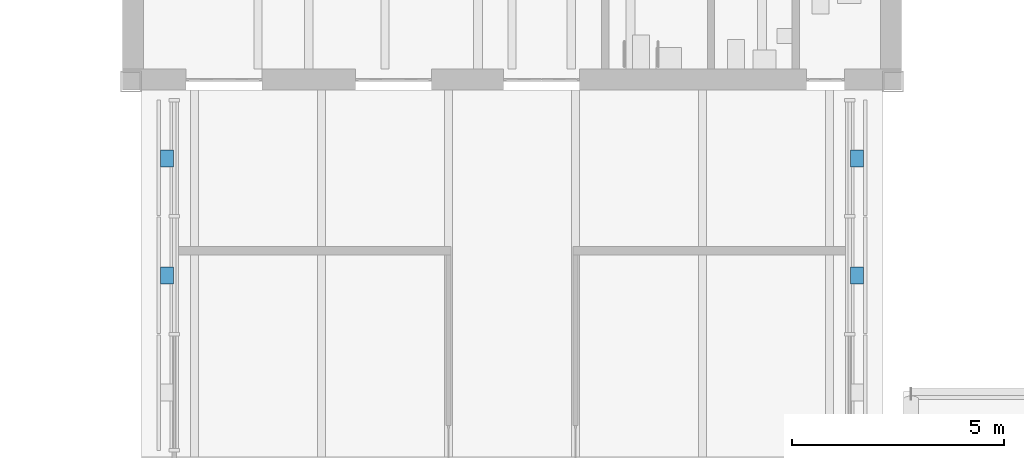
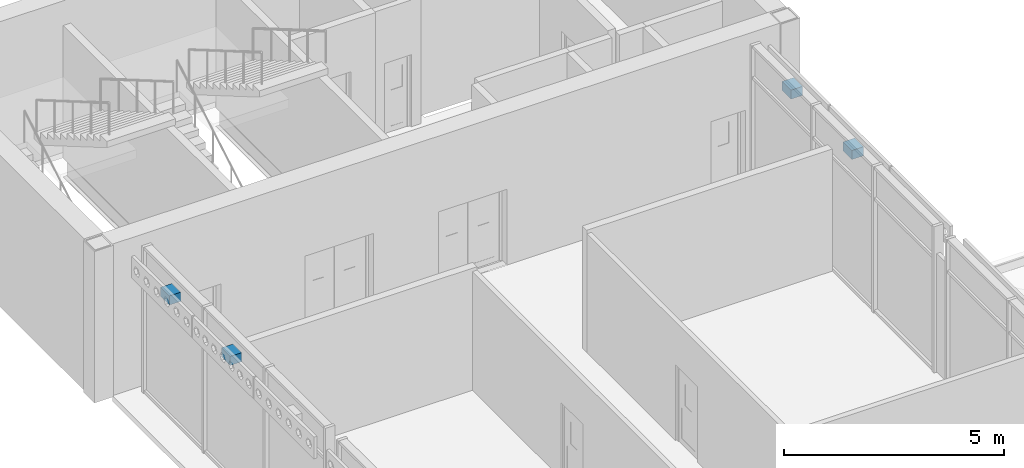
# One storey, part 32 of 54: 4 discrete accessories.
"""IFC4 building model written with IfcOpenShell, lengths in metres."""

from ifc_helpers import new_model, si_unit, direction, frame, origin, origin_2d, place, context, subcontext, project, spatial, rectangle, extrude, material, type_object, element, save


model = new_model("IFC4")

# Units and contexts
model_context = context("Model", 3, precision=1e-05, world=origin(), true_north=direction((0.0, 1.0)))
body_context = subcontext(model_context, "Body", "Model", "MODEL_VIEW")
ifc_project = project(units=[si_unit("LENGTHUNIT", "METRE"), si_unit("AREAUNIT", "SQUARE_METRE"), si_unit("VOLUMEUNIT", "CUBIC_METRE"), si_unit("PLANEANGLEUNIT", "RADIAN"), si_unit("MASSUNIT", "GRAM", prefix="KILO")], contexts=[model_context])

# Site, building, storey
site_placement = place(None, origin())
site = spatial("IfcSite", under=ifc_project, at=site_placement, CompositionType="ELEMENT")
building_placement = place(site_placement, origin())
building = spatial("IfcBuilding", under=site, at=building_placement, Name="Baradari Gate Terminus", CompositionType="ELEMENT")
storey_placement = place(building_placement, frame((0.0, 0.0, 15.89990234375)))
storey = spatial("IfcBuildingStorey", under=building, at=storey_placement, Name="L03", CompositionType="ELEMENT", Elevation=15.89990234375)

# Discrete accessories
ifc_material = material(Name="Stainless steel 316", Category="steel")
discrete_accessory_type = type_object("IfcDiscreteAccessoryType", Name="Jali screen bracket BK-2 stainless steel", PredefinedType="BRACKET", material=ifc_material)
for number, where, z_axis, x_axis, name in (
    (1, (72.8525390625, 76.425048828125, 3.455078125), (0.0, 0.0, 1.0), (-1.0, 0.0, 0.0), "Jali screen bracket BK-2 L03/GW5 bay 2"),
    (2, (72.8525390625, 79.188232421875, 3.455078125), (0.0, 0.0, 1.0), (-1.0, 0.0, 0.0), "Jali screen bracket BK-2 L03/GW5 bay 3"),
    (3, (89.1474609375, 76.425048828125, 3.455078125), (0.0, 0.0, 1.0), (1.0, 0.0, 0.0), "Jali screen bracket BK-2 L03/GE5 bay 2"),
    (4, (89.1474609375, 79.188232421875, 3.455078125), (0.0, 0.0, 1.0), (1.0, 0.0, 0.0), "Jali screen bracket BK-2 L03/GE5 bay 3"),
):
    element("IfcDiscreteAccessory", number, at=place(storey_placement, frame(where, z_axis=z_axis, x_axis=x_axis)), inside=storey, type_object=discrete_accessory_type, Name=name, PredefinedType="BRACKET", context=body_context, shape_type="SweptSolid", body=[
        extrude(rectangle(XDim=0.304931640625, YDim=0.39990234375, at=origin_2d()), origin(), (0.0, 0.0, 1.0), 0.25),
    ])

save(model, "model.ifc")
